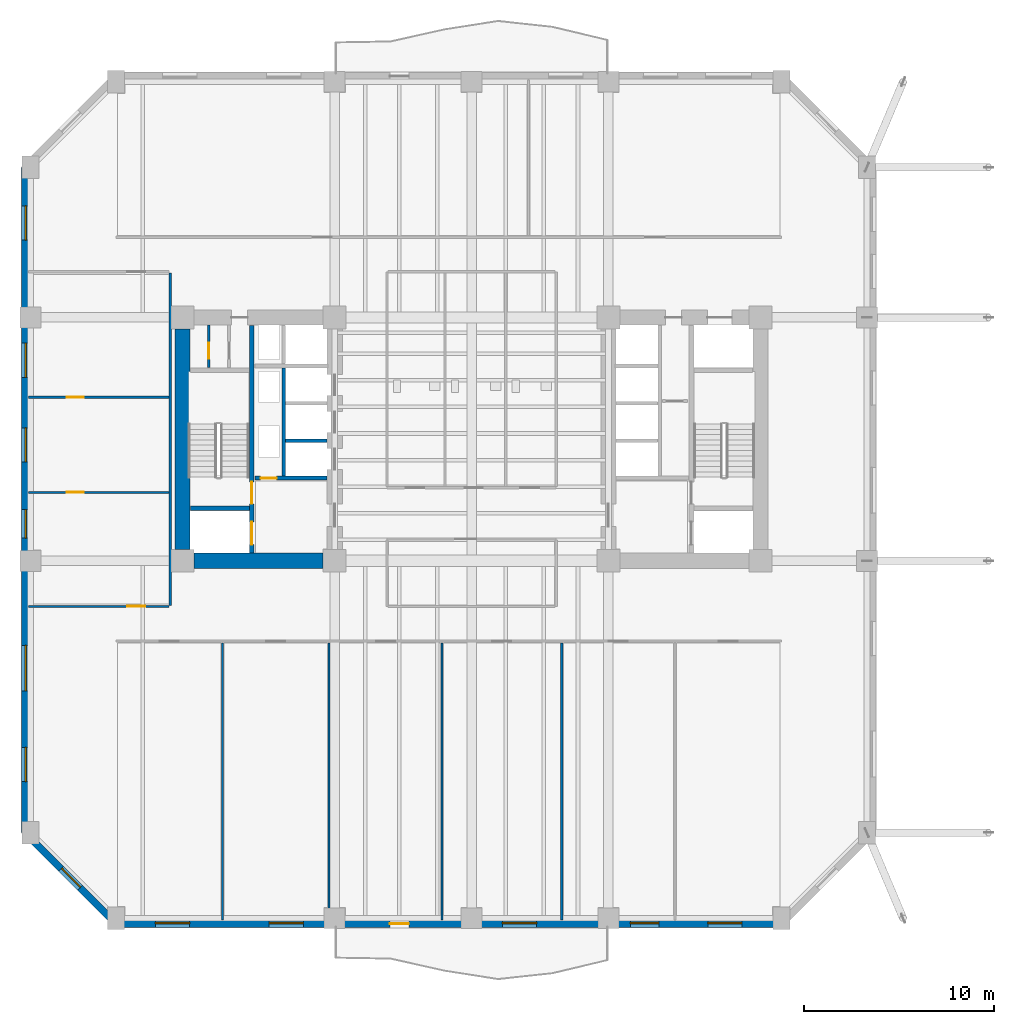
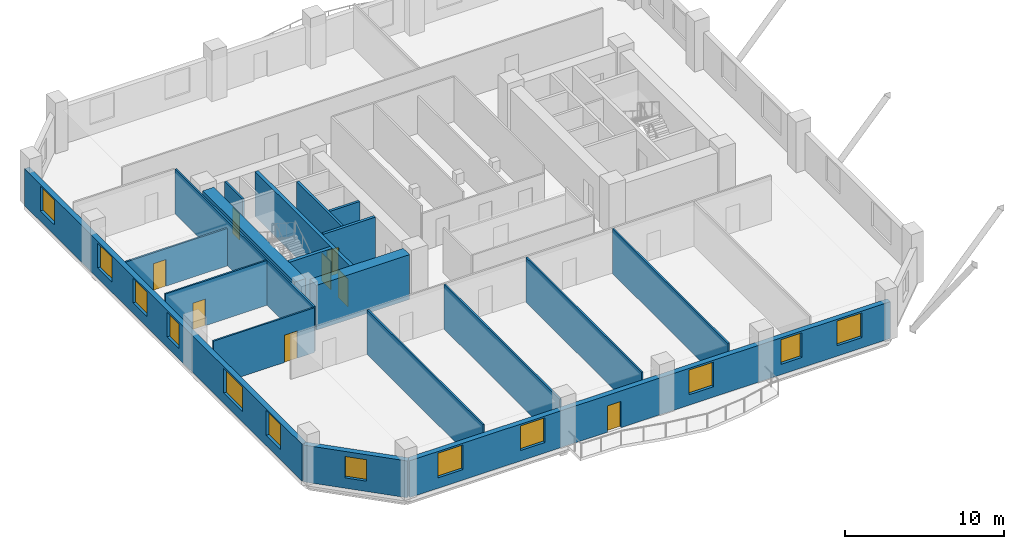
# One storey, part 5 of 13: 19 walls, 12 windows, 8 doors, 20 openings.
"""IFC4 building model written with IfcOpenShell, lengths in metres."""

from ifc_helpers import new_model, si_unit, direction, frame, frame_2d, origin, place, context, subcontext, project, spatial, rectangle, extrude, material, layer, layer_set, type_object, element, fill, save


model = new_model("IFC4")

# Units and contexts
model_context = context("Model", 3, precision=1e-05, world=origin(), true_north=direction((0.0, 1.0)))
body_context = subcontext(model_context, "Body", "Model", "MODEL_VIEW")
ifc_project = project(units=[si_unit("LENGTHUNIT", "METRE"), si_unit("AREAUNIT", "SQUARE_METRE"), si_unit("VOLUMEUNIT", "CUBIC_METRE"), si_unit("PLANEANGLEUNIT", "RADIAN"), si_unit("MASSUNIT", "GRAM", prefix="KILO")], contexts=[model_context])

# Site, building, storey
site_placement = place(None, origin())
site = spatial("IfcSite", under=ifc_project, at=site_placement, CompositionType="ELEMENT")
building_placement = place(site_placement, origin())
building = spatial("IfcBuilding", under=site, at=building_placement, Name="Kranthara Brick Stack", CompositionType="ELEMENT")
storey_placement = place(building_placement, frame((0.0, 0.0, 43.800048828125)))
storey = spatial("IfcBuildingStorey", under=building, at=storey_placement, Name="L10", CompositionType="ELEMENT", Elevation=43.800048828125)

# Wall, openings, door, windows
ifc_material_1 = material(Name="Kiln-fired clay brick masonry M15", Category="masonry")
ifc_layer_1 = layer(ifc_material_1, 0.3798828125)
ifc_layer_set_1 = layer_set([ifc_layer_1], Name="Kiln-fired clay brick masonry M15")
wall_type_1 = type_object("IfcWallType", Name="WL-BRK-PIER-380", PredefinedType="STANDARD", material=ifc_layer_set_1)
wall_1_placement = place(storey_placement, frame((44.300048828125, 1.7099609375, 0.0), z_axis=(0.0, 0.0, 1.0), x_axis=(-1.0, 0.0, 0.0)))
wall_1 = element("IfcWall", 1, at=wall_1_placement, inside=storey, type_object=wall_type_1, Name="L10 Exterior Brick Facade Wall SOUTH 1", PredefinedType="STANDARD", context=body_context, shape_type="SweptSolid", body=[
    extrude(rectangle(XDim=35.0, YDim=0.3798828125, at=frame_2d((17.5, 0.0))), origin(), (0.0, 0.0, 1.0), 2.8349609375),
])
opening_1_placement = place(wall_1_placement, frame((19.60009765625, 0.0, 0.0)))
opening_1 = element("IfcOpeningElement", 2, at=opening_1_placement, cuts=wall_1, Name="Opening D03", PredefinedType="OPENING", context=body_context, shape_type="SweptSolid", body=[
    extrude(rectangle(XDim=1.0, YDim=2.02001953125, at=frame_2d((0.5, 1.010009765625))), frame((0.0, 0.199951171875, 0.0), z_axis=(0.0, -1.0, 0.0), x_axis=(1.0, 0.0, 0.0)), (0.0, 0.0, 1.0), 0.39990234375),
])
opening_2_placement = place(wall_1_placement, frame((2.074951171875, 0.0, 0.800048828125)))
opening_2 = element("IfcOpeningElement", 3, at=opening_2_placement, cuts=wall_1, Name="Opening WN01", PredefinedType="OPENING", context=body_context, shape_type="SweptSolid", body=[
    extrude(rectangle(XDim=1.800048828125, YDim=1.89990234375, at=frame_2d((0.89990234375, 0.949951171875))), frame((0.0, 0.199951171875, 0.0), z_axis=(0.0, -1.0, 0.0), x_axis=(1.0, 0.0, 0.0)), (0.0, 0.0, 1.0), 0.39990234375),
])
opening_3_placement = place(wall_1_placement, frame((6.449951171875, 0.0, 0.800048828125)))
opening_3 = element("IfcOpeningElement", 4, at=opening_3_placement, cuts=wall_1, Name="Opening WN03", PredefinedType="OPENING", context=body_context, shape_type="SweptSolid", body=[
    extrude(rectangle(XDim=1.5, YDim=1.89990234375, at=frame_2d((0.75, 0.949951171875))), frame((0.0, 0.199951171875, 0.0), z_axis=(0.0, -1.0, 0.0), x_axis=(1.0, 0.0, 0.0)), (0.0, 0.0, 1.0), 0.39990234375),
])
opening_4_placement = place(wall_1_placement, frame((12.875, 0.0, 0.800048828125)))
opening_4 = element("IfcOpeningElement", 5, at=opening_4_placement, cuts=wall_1, Name="Opening WN01", PredefinedType="OPENING", context=body_context, shape_type="SweptSolid", body=[
    extrude(rectangle(XDim=1.800048828125, YDim=1.89990234375, at=frame_2d((0.89990234375, 0.949951171875))), frame((0.0, 0.199951171875, 0.0), z_axis=(0.0, -1.0, 0.0), x_axis=(1.0, 0.0, 0.0)), (0.0, 0.0, 1.0), 0.39990234375),
])
opening_5_placement = place(wall_1_placement, frame((25.14990234375, 0.0, 0.800048828125)))
opening_5 = element("IfcOpeningElement", 6, at=opening_5_placement, cuts=wall_1, Name="Opening WN01", PredefinedType="OPENING", context=body_context, shape_type="SweptSolid", body=[
    extrude(rectangle(XDim=1.800048828125, YDim=1.89990234375, at=frame_2d((0.89990234375, 0.949951171875))), frame((0.0, 0.199951171875, 0.0), z_axis=(0.0, -1.0, 0.0), x_axis=(1.0, 0.0, 0.0)), (0.0, 0.0, 1.0), 0.39990234375),
])
opening_6_placement = place(wall_1_placement, frame((31.125, 0.0, 0.800048828125)))
opening_6 = element("IfcOpeningElement", 7, at=opening_6_placement, cuts=wall_1, Name="Opening WN01", PredefinedType="OPENING", context=body_context, shape_type="SweptSolid", body=[
    extrude(rectangle(XDim=1.800048828125, YDim=1.89990234375, at=frame_2d((0.89990234375, 0.949951171875))), frame((0.0, 0.199951171875, 0.0), z_axis=(0.0, -1.0, 0.0), x_axis=(1.0, 0.0, 0.0)), (0.0, 0.0, 1.0), 0.39990234375),
])
ifc_material_2 = material(Name="Bronze anodised aluminium and laminated glass", Category="aluminium")
door_type_1 = type_object("IfcDoorType", Name="DR-BALC-1000", OperationType="NOTDEFINED", PredefinedType="DOOR", material=ifc_material_2)
door_1_placement = place(opening_1_placement, origin())
door_1 = element("IfcDoor", 8, at=door_1_placement, inside=storey, type_object=door_type_1, Name="L10 South Balcony Terrace Door", OperationType="SINGLE_SWING_LEFT", OverallHeight=2.02001953125, OverallWidth=1.0, PredefinedType="DOOR", context=body_context, shape_type="SweptSolid", body=[
    extrude(rectangle(XDim=1.0, YDim=2.02001953125, at=frame_2d((0.5, 1.010009765625))), frame((0.0, 0.02490234375, 0.0), z_axis=(0.0, -1.0, 0.0), x_axis=(1.0, 0.0, 0.0)), (0.0, 0.0, 1.0), 0.050048828125),
])
fill(opening_1, door_1)
ifc_material_3 = material(Name="Double-glazed low-E solar control glass", Category="glass")
window_type_1 = type_object("IfcWindowType", Name="WN-OFF-1500x2000", PartitioningType="SINGLE_PANEL", PredefinedType="WINDOW", material=ifc_material_3)
window_1_placement = place(opening_3_placement, origin())
window_1 = element("IfcWindow", 9, at=window_1_placement, inside=storey, type_object=window_type_1, Name="L10 South Deep-Set Brick Window 02", OverallHeight=1.89990234375, OverallWidth=1.5, PartitioningType="SINGLE_PANEL", PredefinedType="WINDOW", context=body_context, shape_type="SweptSolid", body=[
    extrude(rectangle(XDim=1.5, YDim=1.89990234375, at=frame_2d((0.75, 0.949951171875))), frame((0.0, -0.010009765625, 0.0), z_axis=(0.0, -1.0, 0.0), x_axis=(1.0, 0.0, 0.0)), (0.0, 0.0, 1.0), 0.06005859375),
])
fill(opening_3, window_1)
ifc_material_4 = material(Name="Double-glazed low-E solar control glass", Category="glass")
window_type_2 = type_object("IfcWindowType", Name="WN-OFF-1800x2000", PartitioningType="SINGLE_PANEL", PredefinedType="WINDOW", material=ifc_material_4)
window_2_placement = place(opening_2_placement, origin())
window_2 = element("IfcWindow", 10, at=window_2_placement, inside=storey, type_object=window_type_2, Name="L10 South Deep-Set Brick Window 01", OverallHeight=1.89990234375, OverallWidth=1.800048828125, PartitioningType="SINGLE_PANEL", PredefinedType="WINDOW", context=body_context, shape_type="SweptSolid", body=[
    extrude(rectangle(XDim=1.800048828125, YDim=1.89990234375, at=frame_2d((0.89990234375, 0.949951171875))), frame((0.0, -0.010009765625, 0.0), z_axis=(0.0, -1.0, 0.0), x_axis=(1.0, 0.0, 0.0)), (0.0, 0.0, 1.0), 0.06005859375),
])
fill(opening_2, window_2)
window_3_placement = place(opening_4_placement, origin())
window_3 = element("IfcWindow", 11, at=window_3_placement, inside=storey, type_object=window_type_2, Name="L10 South Deep-Set Brick Window 03", OverallHeight=1.89990234375, OverallWidth=1.800048828125, PartitioningType="SINGLE_PANEL", PredefinedType="WINDOW", context=body_context, shape_type="SweptSolid", body=[
    extrude(rectangle(XDim=1.800048828125, YDim=1.89990234375, at=frame_2d((0.89990234375, 0.949951171875))), frame((0.0, -0.010009765625, 0.0), z_axis=(0.0, -1.0, 0.0), x_axis=(1.0, 0.0, 0.0)), (0.0, 0.0, 1.0), 0.06005859375),
])
fill(opening_4, window_3)
window_4_placement = place(opening_5_placement, origin())
window_4 = element("IfcWindow", 12, at=window_4_placement, inside=storey, type_object=window_type_2, Name="L10 South Deep-Set Brick Window 04", OverallHeight=1.89990234375, OverallWidth=1.800048828125, PartitioningType="SINGLE_PANEL", PredefinedType="WINDOW", context=body_context, shape_type="SweptSolid", body=[
    extrude(rectangle(XDim=1.800048828125, YDim=1.89990234375, at=frame_2d((0.89990234375, 0.949951171875))), frame((0.0, -0.010009765625, 0.0), z_axis=(0.0, -1.0, 0.0), x_axis=(1.0, 0.0, 0.0)), (0.0, 0.0, 1.0), 0.06005859375),
])
fill(opening_5, window_4)
window_5_placement = place(opening_6_placement, origin())
window_5 = element("IfcWindow", 13, at=window_5_placement, inside=storey, type_object=window_type_2, Name="L10 South Deep-Set Brick Window 05", OverallHeight=1.89990234375, OverallWidth=1.800048828125, PartitioningType="SINGLE_PANEL", PredefinedType="WINDOW", context=body_context, shape_type="SweptSolid", body=[
    extrude(rectangle(XDim=1.800048828125, YDim=1.89990234375, at=frame_2d((0.89990234375, 0.949951171875))), frame((0.0, -0.010009765625, 0.0), z_axis=(0.0, -1.0, 0.0), x_axis=(1.0, 0.0, 0.0)), (0.0, 0.0, 1.0), 0.06005859375),
])
fill(opening_6, window_5)

# Wall, opening, window
wall_2_placement = place(storey_placement, frame((9.300048828125, 1.7099609375, 0.0), z_axis=(0.0, 0.0, 1.0), x_axis=(-0.707106781187, 0.707106781187, 0.0)))
wall_2 = element("IfcWall", 14, at=wall_2_placement, inside=storey, type_object=wall_type_1, Name="L10 Exterior Brick Facade Wall SW 1", PredefinedType="STANDARD", context=body_context, shape_type="SweptSolid", body=[
    extrude(rectangle(XDim=6.774169921875, YDim=0.3798828125, at=frame_2d((3.38720703125, 0.0))), origin(), (0.0, 0.0, 1.0), 2.8349609375),
])
opening_7_placement = place(wall_2_placement, frame((2.68701171875, 0.0, 0.800048828125)))
opening_7 = element("IfcOpeningElement", 15, at=opening_7_placement, cuts=wall_2, Name="Opening WN10", PredefinedType="OPENING", context=body_context, shape_type="SweptSolid", body=[
    extrude(rectangle(XDim=1.39990234375, YDim=1.64990234375, at=frame_2d((0.699951171875, 0.824951171875))), frame((0.0, 0.199951171875, 0.0), z_axis=(0.0, -1.0, 0.0), x_axis=(1.0, 0.0, 0.0)), (0.0, 0.0, 1.0), 0.39990234375),
])
ifc_material_5 = material(Name="Double-glazed low-E solar control glass", Category="glass")
window_type_3 = type_object("IfcWindowType", Name="WN-CHM-1400x1750", PartitioningType="SINGLE_PANEL", PredefinedType="WINDOW", material=ifc_material_5)
window_6_placement = place(opening_7_placement, origin())
window_6 = element("IfcWindow", 16, at=window_6_placement, inside=storey, type_object=window_type_3, Name="L10 SW Chamfer Corner Window", OverallHeight=1.64990234375, OverallWidth=1.39990234375, PartitioningType="SINGLE_PANEL", PredefinedType="WINDOW", context=body_context, shape_type="SweptSolid", body=[
    extrude(rectangle(XDim=1.39990234375, YDim=1.64990234375, at=frame_2d((0.699951171875, 0.824951171875))), frame((0.0, -0.010009765625, 0.0), z_axis=(0.0, -1.0, 0.0), x_axis=(1.0, 0.0, 0.0)), (0.0, 0.0, 1.0), 0.06005859375),
])
fill(opening_7, window_6)

# Wall, openings, windows
wall_3_placement = place(storey_placement, frame((4.510009765625, 6.5, 0.0), z_axis=(0.0, 0.0, 1.0), x_axis=(0.0, 1.0, 0.0)))
wall_3 = element("IfcWall", 17, at=wall_3_placement, inside=storey, type_object=wall_type_1, Name="L10 Exterior Brick Facade Wall WEST 1", PredefinedType="STANDARD", context=body_context, shape_type="SweptSolid", body=[
    extrude(rectangle(XDim=35.0, YDim=0.3798828125, at=frame_2d((17.5, 0.0))), origin(), (0.0, 0.0, 1.0), 2.8349609375),
])
opening_8_placement = place(wall_3_placement, frame((2.693115234375, 0.0, 0.800048828125)))
opening_8 = element("IfcOpeningElement", 18, at=opening_8_placement, cuts=wall_3, Name="Opening WN01", PredefinedType="OPENING", context=body_context, shape_type="SweptSolid", body=[
    extrude(rectangle(XDim=1.800048828125, YDim=1.89990234375, at=frame_2d((0.89990234375, 0.949951171875))), frame((0.0, 0.199951171875, 0.0), z_axis=(0.0, -1.0, 0.0), x_axis=(1.0, 0.0, 0.0)), (0.0, 0.0, 1.0), 0.39990234375),
])
opening_9_placement = place(wall_3_placement, frame((7.45703125, 0.0, 0.800048828125)))
opening_9 = element("IfcOpeningElement", 19, at=opening_9_placement, cuts=wall_3, Name="Opening WN02", PredefinedType="OPENING", context=body_context, shape_type="SweptSolid", body=[
    extrude(rectangle(XDim=2.39990234375, YDim=1.89990234375, at=frame_2d((1.199951171875, 0.949951171875))), frame((0.0, 0.199951171875, 0.0), z_axis=(0.0, -1.0, 0.0), x_axis=(1.0, 0.0, 0.0)), (0.0, 0.0, 1.0), 0.39990234375),
])
opening_10_placement = place(wall_3_placement, frame((15.5, 0.0, 0.800048828125)))
opening_10 = element("IfcOpeningElement", 20, at=opening_10_placement, cuts=wall_3, Name="Opening WN03", PredefinedType="OPENING", context=body_context, shape_type="SweptSolid", body=[
    extrude(rectangle(XDim=1.5, YDim=1.89990234375, at=frame_2d((0.75, 0.949951171875))), frame((0.0, 0.199951171875, 0.0), z_axis=(0.0, -1.0, 0.0), x_axis=(1.0, 0.0, 0.0)), (0.0, 0.0, 1.0), 0.39990234375),
])
opening_11_placement = place(wall_3_placement, frame((19.5, 0.0, 0.800048828125)))
opening_11 = element("IfcOpeningElement", 21, at=opening_11_placement, cuts=wall_3, Name="Opening WN01", PredefinedType="OPENING", context=body_context, shape_type="SweptSolid", body=[
    extrude(rectangle(XDim=1.800048828125, YDim=1.89990234375, at=frame_2d((0.89990234375, 0.949951171875))), frame((0.0, 0.199951171875, 0.0), z_axis=(0.0, -1.0, 0.0), x_axis=(1.0, 0.0, 0.0)), (0.0, 0.0, 1.0), 0.39990234375),
])
opening_12_placement = place(wall_3_placement, frame((23.949951171875, 0.0, 0.800048828125)))
opening_12 = element("IfcOpeningElement", 22, at=opening_12_placement, cuts=wall_3, Name="Opening WN01", PredefinedType="OPENING", context=body_context, shape_type="SweptSolid", body=[
    extrude(rectangle(XDim=1.800048828125, YDim=1.89990234375, at=frame_2d((0.89990234375, 0.949951171875))), frame((0.0, 0.199951171875, 0.0), z_axis=(0.0, -1.0, 0.0), x_axis=(1.0, 0.0, 0.0)), (0.0, 0.0, 1.0), 0.39990234375),
])
opening_13_placement = place(wall_3_placement, frame((31.175048828125, 0.0, 0.800048828125)))
opening_13 = element("IfcOpeningElement", 23, at=opening_13_placement, cuts=wall_3, Name="Opening WN01", PredefinedType="OPENING", context=body_context, shape_type="SweptSolid", body=[
    extrude(rectangle(XDim=1.800048828125, YDim=1.89990234375, at=frame_2d((0.89990234375, 0.949951171875))), frame((0.0, 0.199951171875, 0.0), z_axis=(0.0, -1.0, 0.0), x_axis=(1.0, 0.0, 0.0)), (0.0, 0.0, 1.0), 0.39990234375),
])
window_7_placement = place(opening_10_placement, origin())
window_7 = element("IfcWindow", 24, at=window_7_placement, inside=storey, type_object=window_type_1, Name="L10 West Deep-Set Brick Window 03", OverallHeight=1.89990234375, OverallWidth=1.5, PartitioningType="SINGLE_PANEL", PredefinedType="WINDOW", context=body_context, shape_type="SweptSolid", body=[
    extrude(rectangle(XDim=1.5, YDim=1.89990234375, at=frame_2d((0.75, 0.949951171875))), frame((0.0, -0.010009765625, 0.0), z_axis=(0.0, -1.0, 0.0), x_axis=(1.0, 0.0, 0.0)), (0.0, 0.0, 1.0), 0.06005859375),
])
fill(opening_10, window_7)
window_8_placement = place(opening_8_placement, origin())
window_8 = element("IfcWindow", 25, at=window_8_placement, inside=storey, type_object=window_type_2, Name="L10 West Deep-Set Brick Window 01", OverallHeight=1.89990234375, OverallWidth=1.800048828125, PartitioningType="SINGLE_PANEL", PredefinedType="WINDOW", context=body_context, shape_type="SweptSolid", body=[
    extrude(rectangle(XDim=1.800048828125, YDim=1.89990234375, at=frame_2d((0.89990234375, 0.949951171875))), frame((0.0, -0.010009765625, 0.0), z_axis=(0.0, -1.0, 0.0), x_axis=(1.0, 0.0, 0.0)), (0.0, 0.0, 1.0), 0.06005859375),
])
fill(opening_8, window_8)
window_9_placement = place(opening_11_placement, origin())
window_9 = element("IfcWindow", 26, at=window_9_placement, inside=storey, type_object=window_type_2, Name="L10 West Deep-Set Brick Window 04", OverallHeight=1.89990234375, OverallWidth=1.800048828125, PartitioningType="SINGLE_PANEL", PredefinedType="WINDOW", context=body_context, shape_type="SweptSolid", body=[
    extrude(rectangle(XDim=1.800048828125, YDim=1.89990234375, at=frame_2d((0.89990234375, 0.949951171875))), frame((0.0, -0.010009765625, 0.0), z_axis=(0.0, -1.0, 0.0), x_axis=(1.0, 0.0, 0.0)), (0.0, 0.0, 1.0), 0.06005859375),
])
fill(opening_11, window_9)
window_10_placement = place(opening_12_placement, origin())
window_10 = element("IfcWindow", 27, at=window_10_placement, inside=storey, type_object=window_type_2, Name="L10 West Deep-Set Brick Window 05", OverallHeight=1.89990234375, OverallWidth=1.800048828125, PartitioningType="SINGLE_PANEL", PredefinedType="WINDOW", context=body_context, shape_type="SweptSolid", body=[
    extrude(rectangle(XDim=1.800048828125, YDim=1.89990234375, at=frame_2d((0.89990234375, 0.949951171875))), frame((0.0, -0.010009765625, 0.0), z_axis=(0.0, -1.0, 0.0), x_axis=(1.0, 0.0, 0.0)), (0.0, 0.0, 1.0), 0.06005859375),
])
fill(opening_12, window_10)
window_11_placement = place(opening_13_placement, origin())
window_11 = element("IfcWindow", 28, at=window_11_placement, inside=storey, type_object=window_type_2, Name="L10 West Deep-Set Brick Window 06", OverallHeight=1.89990234375, OverallWidth=1.800048828125, PartitioningType="SINGLE_PANEL", PredefinedType="WINDOW", context=body_context, shape_type="SweptSolid", body=[
    extrude(rectangle(XDim=1.800048828125, YDim=1.89990234375, at=frame_2d((0.89990234375, 0.949951171875))), frame((0.0, -0.010009765625, 0.0), z_axis=(0.0, -1.0, 0.0), x_axis=(1.0, 0.0, 0.0)), (0.0, 0.0, 1.0), 0.06005859375),
])
fill(opening_13, window_11)
ifc_material_6 = material(Name="Double-glazed low-E solar control glass", Category="glass")
window_type_4 = type_object("IfcWindowType", Name="WN-OFF-2400x2000", PartitioningType="DOUBLE_PANEL_VERTICAL", PredefinedType="WINDOW", material=ifc_material_6)
window_12_placement = place(opening_9_placement, origin())
window_12 = element("IfcWindow", 29, at=window_12_placement, inside=storey, type_object=window_type_4, Name="L10 West Deep-Set Brick Window 02", OverallHeight=1.89990234375, OverallWidth=2.39990234375, PartitioningType="SINGLE_PANEL", PredefinedType="WINDOW", context=body_context, shape_type="SweptSolid", body=[
    extrude(rectangle(XDim=2.39990234375, YDim=1.89990234375, at=frame_2d((1.199951171875, 0.949951171875))), frame((0.0, -0.010009765625, 0.0), z_axis=(0.0, -1.0, 0.0), x_axis=(1.0, 0.0, 0.0)), (0.0, 0.0, 1.0), 0.06005859375),
])
fill(opening_9, window_12)

# Wall, openings, doors
ifc_material_7 = material(Name="Concrete C50/60", Category="concrete")
ifc_layer_2 = layer(ifc_material_7, 0.25)
ifc_layer_set_2 = layer_set([ifc_layer_2], Name="Concrete C50/60")
wall_type_2 = type_object("IfcWallType", Name="WL-CORE-250", PredefinedType="SHEAR", material=ifc_layer_set_2)
wall_4_placement = place(storey_placement, frame((16.43505859375, 21.2099609375, 0.0), z_axis=(0.0, 0.0, 1.0), x_axis=(0.0, 1.0, 0.0)))
wall_4 = element("IfcWall", 30, at=wall_4_placement, inside=storey, type_object=wall_type_2, Name="L10 West Core Stair Bearing Spine Wall", PredefinedType="SHEAR", context=body_context, shape_type="SweptSolid", body=[
    extrude(rectangle(XDim=11.97998046875, YDim=0.25, at=frame_2d((5.989990234375, 0.0))), origin(), (0.0, 0.0, 1.0), 3.449951171875),
])
opening_14_placement = place(wall_4_placement, frame((0.43994140625, 0.0, 0.0)))
opening_14 = element("IfcOpeningElement", 31, at=opening_14_placement, cuts=wall_4, Name="Opening LD01", PredefinedType="OPENING", context=body_context, shape_type="SweptSolid", body=[
    extrude(rectangle(XDim=1.199951171875, YDim=2.14990234375, at=frame_2d((0.60009765625, 1.074951171875))), frame((0.0, 0.135009765625, 0.0), z_axis=(0.0, -1.0, 0.0), x_axis=(1.0, 0.0, 0.0)), (0.0, 0.0, 1.0), 0.27001953125),
])
opening_15_placement = place(wall_4_placement, frame((2.590087890625, 0.0, 0.0)))
opening_15 = element("IfcOpeningElement", 32, at=opening_15_placement, cuts=wall_4, Name="Opening D05", PredefinedType="OPENING", context=body_context, shape_type="SweptSolid", body=[
    extrude(rectangle(XDim=1.14990234375, YDim=2.14990234375, at=frame_2d((0.574951171875, 1.074951171875))), frame((0.0, 0.135009765625, 0.0), z_axis=(0.0, -1.0, 0.0), x_axis=(1.0, 0.0, 0.0)), (0.0, 0.0, 1.0), 0.27001953125),
])
ifc_material_8 = material(Name="Stainless steel sliding landing door", Category="steel")
door_type_2 = type_object("IfcDoorType", Name="DR-LD-FF1200", OperationType="DOUBLE_DOOR_SLIDING", PredefinedType="DOOR", material=ifc_material_8)
door_2_placement = place(opening_14_placement, origin())
door_2 = element("IfcDoor", 33, at=door_2_placement, inside=storey, type_object=door_type_2, Name="L10 Firefighting Lift FF-01 Landing Door", OperationType="DOUBLE_DOOR_SLIDING", OverallHeight=2.14990234375, OverallWidth=1.199951171875, PredefinedType="DOOR", context=body_context, shape_type="SweptSolid", body=[
    extrude(rectangle(XDim=1.199951171875, YDim=2.14990234375, at=frame_2d((0.60009765625, 1.074951171875))), frame((0.0, 0.02490234375, 0.0), z_axis=(0.0, -1.0, 0.0), x_axis=(1.0, 0.0, 0.0)), (0.0, 0.0, 1.0), 0.050048828125),
])
fill(opening_14, door_2)
ifc_material_9 = material(Name="Solid-core hardwood timber leaf in steel frame", Category="steel")
door_type_3 = type_object("IfcDoorType", Name="DR-ST-1150", OperationType="NOTDEFINED", PredefinedType="DOOR", material=ifc_material_9)
door_3_placement = place(opening_15_placement, origin())
door_3 = element("IfcDoor", 34, at=door_3_placement, inside=storey, type_object=door_type_3, Name="L10 Exit Stair ST01 Door", OperationType="SINGLE_SWING_RIGHT", OverallHeight=2.14990234375, OverallWidth=1.14990234375, PredefinedType="DOOR", context=body_context, shape_type="SweptSolid", body=[
    extrude(rectangle(XDim=1.14990234375, YDim=2.14990234375, at=frame_2d((0.574951171875, 1.074951171875))), frame((0.0, 0.02490234375, 0.0), z_axis=(0.0, -1.0, 0.0), x_axis=(1.0, 0.0, 0.0)), (0.0, 0.0, 1.0), 0.050048828125),
])
fill(opening_15, door_3)

# Walls
wall_5_placement = place(storey_placement, frame((13.2099609375, 23.570068359375, 0.0), z_axis=(0.0, 0.0, 1.0), x_axis=(1.0, 0.0, 0.0)))
element("IfcWall", 35, at=wall_5_placement, inside=storey, type_object=wall_type_2, Name="L10 West Stairwell Bearing Wall WFF", PredefinedType="SHEAR", context=body_context, shape_type="SweptSolid", body=[
    extrude(rectangle(XDim=3.10009765625, YDim=0.25, at=frame_2d((1.550048828125, 0.0))), origin(), (0.0, 0.0, 1.0), 3.449951171875),
])
ifc_material_10 = material(Name="Concrete C70/85", Category="concrete")
ifc_layer_3 = layer(ifc_material_10, 0.800048828125)
ifc_layer_set_3 = layer_set([ifc_layer_3], Name="Concrete C70/85")
wall_type_3 = type_object("IfcWallType", Name="WL-CORE-800", PredefinedType="SHEAR", material=ifc_layer_set_3)
wall_6_placement = place(storey_placement, frame((12.800048828125, 21.405029296875, 0.0), z_axis=(0.0, 0.0, 1.0), x_axis=(0.0, 1.0, 0.0)))
element("IfcWall", 36, at=wall_6_placement, inside=storey, type_object=wall_type_3, Name="L10 West Core Shear Wall West", PredefinedType="SHEAR", context=body_context, shape_type="SweptSolid", body=[
    extrude(rectangle(XDim=11.590087890625, YDim=0.800048828125, at=frame_2d((5.794921875, 0.0))), origin(), (0.0, 0.0, 1.0), 3.449951171875),
])
wall_7_placement = place(storey_placement, frame((13.405029296875, 20.800048828125, 0.0), z_axis=(0.0, 0.0, 1.0), x_axis=(1.0, 0.0, 0.0)))
element("IfcWall", 37, at=wall_7_placement, inside=storey, type_object=wall_type_3, Name="L10 West Core Shear Wall South", PredefinedType="SHEAR", context=body_context, shape_type="SweptSolid", body=[
    extrude(rectangle(XDim=6.7900390625, YDim=0.800048828125, at=frame_2d((3.39501953125, 0.0))), origin(), (0.0, 0.0, 1.0), 3.449951171875),
])
ifc_material_11 = material(Name="Acoustic gypsum plasterboard partition", Category="other")
ifc_layer_4 = layer(ifc_material_11, 0.1201171875)
ifc_layer_set_4 = layer_set([ifc_layer_4], Name="Acoustic gypsum plasterboard partition")
wall_type_4 = type_object("IfcWallType", Name="WL-PART-120", PredefinedType="PARTITIONING", material=ifc_layer_set_4)
for number, where, z_axis, x_axis, name in (
    (38, (14.89990234375, 1.905029296875, 0.0), (0.0, 0.0, 1.0), (0.0, 1.0, 0.0), "L10 Interior Partition 015"),
    (39, (20.5, 1.905029296875, 0.0), (0.0, 0.0, 1.0), (0.0, 1.0, 0.0), "L10 Interior Partition 016"),
    (40, (26.449951171875, 1.905029296875, 0.0), (0.0, 0.0, 1.0), (0.0, 1.0, 0.0), "L10 Interior Partition 017"),
    (41, (32.75, 1.905029296875, 0.0), (0.0, 0.0, 1.0), (0.0, 1.0, 0.0), "L10 Interior Partition 018"),
):
    element("IfcWall", number, at=place(storey_placement, frame(where, z_axis=z_axis, x_axis=x_axis)), inside=storey, type_object=wall_type_4, Name=name, PredefinedType="PARTITIONING", context=body_context, shape_type="SweptSolid", body=[
        extrude(rectangle(XDim=14.574951171875, YDim=0.1201171875, at=frame_2d((7.28759765625, 0.0))), origin(), (0.0, 0.0, 1.0), 3.449951171875),
    ])
wall_8_placement = place(storey_placement, frame((12.14990234375, 18.449951171875, 0.0), z_axis=(0.0, 0.0, 1.0), x_axis=(0.0, 1.0, 0.0)))
element("IfcWall", 42, at=wall_8_placement, inside=storey, type_object=wall_type_4, Name="L10 Interior Partition 022", PredefinedType="PARTITIONING", context=body_context, shape_type="SweptSolid", body=[
    extrude(rectangle(XDim=17.5, YDim=0.1201171875, at=frame_2d((8.75, 0.0))), origin(), (0.0, 0.0, 1.0), 3.449951171875),
])

# Wall, opening, door
wall_9_placement = place(storey_placement, frame((4.705078125, 18.39990234375, 0.0), z_axis=(0.0, 0.0, 1.0), x_axis=(1.0, 0.0, 0.0)))
wall_9 = element("IfcWall", 43, at=wall_9_placement, inside=storey, type_object=wall_type_4, Name="L10 Interior Partition 023", PredefinedType="PARTITIONING", context=body_context, shape_type="SweptSolid", body=[
    extrude(rectangle(XDim=7.3798828125, YDim=0.1201171875, at=frame_2d((3.68994140625, 0.0))), origin(), (0.0, 0.0, 1.0), 3.449951171875),
])
opening_16_placement = place(wall_9_placement, frame((5.179931640625, 0.0, 0.0)))
opening_16 = element("IfcOpeningElement", 44, at=opening_16_placement, cuts=wall_9, Name="Opening D14", PredefinedType="OPENING", context=body_context, shape_type="SweptSolid", body=[
    extrude(rectangle(XDim=0.949951171875, YDim=2.10009765625, at=frame_2d((0.47509765625, 1.050048828125))), frame((0.0, 0.070068359375, 0.0), z_axis=(0.0, -1.0, 0.0), x_axis=(1.0, 0.0, 0.0)), (0.0, 0.0, 1.0), 0.14013671875),
])
ifc_material_12 = material(Name="Solid-core hardwood timber leaf in steel frame", Category="steel")
door_type_4 = type_object("IfcDoorType", Name="DR-INT-950", OperationType="NOTDEFINED", PredefinedType="DOOR", material=ifc_material_12)
door_4_placement = place(opening_16_placement, origin())
door_4 = element("IfcDoor", 45, at=door_4_placement, inside=storey, type_object=door_type_4, Name="L10 West South Office 18", OperationType="SINGLE_SWING_RIGHT", OverallHeight=2.10009765625, OverallWidth=0.949951171875, PredefinedType="DOOR", context=body_context, shape_type="SweptSolid", body=[
    extrude(rectangle(XDim=0.949951171875, YDim=2.10009765625, at=frame_2d((0.47509765625, 1.050048828125))), frame((0.0, 0.02490234375, 0.0), z_axis=(0.0, -1.0, 0.0), x_axis=(1.0, 0.0, 0.0)), (0.0, 0.0, 1.0), 0.050048828125),
])
fill(opening_16, door_4)

wall_10_placement = place(storey_placement, frame((4.705078125, 24.39990234375, 0.0), z_axis=(0.0, 0.0, 1.0), x_axis=(1.0, 0.0, 0.0)))
wall_10 = element("IfcWall", 46, at=wall_10_placement, inside=storey, type_object=wall_type_4, Name="L10 Interior Partition 025", PredefinedType="PARTITIONING", context=body_context, shape_type="SweptSolid", body=[
    extrude(rectangle(XDim=7.3798828125, YDim=0.1201171875, at=frame_2d((3.68994140625, 0.0))), origin(), (0.0, 0.0, 1.0), 3.449951171875),
])
opening_17_placement = place(wall_10_placement, frame((2.0, 0.0, 0.0)))
opening_17 = element("IfcOpeningElement", 47, at=opening_17_placement, cuts=wall_10, Name="Opening D15", PredefinedType="OPENING", context=body_context, shape_type="SweptSolid", body=[
    extrude(rectangle(XDim=0.89990234375, YDim=2.050048828125, at=frame_2d((0.449951171875, 1.02490234375))), frame((0.0, 0.070068359375, 0.0), z_axis=(0.0, -1.0, 0.0), x_axis=(1.0, 0.0, 0.0)), (0.0, 0.0, 1.0), 0.14013671875),
])
ifc_material_13 = material(Name="Solid-core hardwood timber leaf in steel frame", Category="steel")
door_type_5 = type_object("IfcDoorType", Name="DR-INT-900", OperationType="NOTDEFINED", PredefinedType="DOOR", material=ifc_material_13)
door_5_placement = place(opening_17_placement, origin())
door_5 = element("IfcDoor", 48, at=door_5_placement, inside=storey, type_object=door_type_5, Name="L10 West Inner Suite Door 16", OperationType="SINGLE_SWING_RIGHT", OverallHeight=2.050048828125, OverallWidth=0.89990234375, PredefinedType="DOOR", context=body_context, shape_type="SweptSolid", body=[
    extrude(rectangle(XDim=0.89990234375, YDim=2.050048828125, at=frame_2d((0.449951171875, 1.02490234375))), frame((0.0, 0.02490234375, 0.0), z_axis=(0.0, -1.0, 0.0), x_axis=(1.0, 0.0, 0.0)), (0.0, 0.0, 1.0), 0.050048828125),
])
fill(opening_17, door_5)

wall_11_placement = place(storey_placement, frame((4.705078125, 29.39990234375, 0.0), z_axis=(0.0, 0.0, 1.0), x_axis=(1.0, 0.0, 0.0)))
wall_11 = element("IfcWall", 49, at=wall_11_placement, inside=storey, type_object=wall_type_4, Name="L10 Interior Partition 026", PredefinedType="PARTITIONING", context=body_context, shape_type="SweptSolid", body=[
    extrude(rectangle(XDim=7.3798828125, YDim=0.1201171875, at=frame_2d((3.68994140625, 0.0))), origin(), (0.0, 0.0, 1.0), 2.885009765625),
])
opening_18_placement = place(wall_11_placement, frame((2.0, 0.0, 0.0)))
opening_18 = element("IfcOpeningElement", 50, at=opening_18_placement, cuts=wall_11, Name="Opening D15", PredefinedType="OPENING", context=body_context, shape_type="SweptSolid", body=[
    extrude(rectangle(XDim=0.89990234375, YDim=2.050048828125, at=frame_2d((0.449951171875, 1.02490234375))), frame((0.0, 0.070068359375, 0.0), z_axis=(0.0, -1.0, 0.0), x_axis=(1.0, 0.0, 0.0)), (0.0, 0.0, 1.0), 0.14013671875),
])
door_6_placement = place(opening_18_placement, origin())
door_6 = element("IfcDoor", 51, at=door_6_placement, inside=storey, type_object=door_type_5, Name="L10 West Inner Suite Door 17", OperationType="SINGLE_SWING_LEFT", OverallHeight=2.050048828125, OverallWidth=0.89990234375, PredefinedType="DOOR", context=body_context, shape_type="SweptSolid", body=[
    extrude(rectangle(XDim=0.89990234375, YDim=2.050048828125, at=frame_2d((0.449951171875, 1.02490234375))), frame((0.0, 0.02490234375, 0.0), z_axis=(0.0, -1.0, 0.0), x_axis=(1.0, 0.0, 0.0)), (0.0, 0.0, 1.0), 0.050048828125),
])
fill(opening_18, door_6)

ifc_material_14 = material(Name="Fire-rated gypsum board partition", Category="other")
ifc_layer_5 = layer(ifc_material_14, 0.14990234375)
ifc_layer_set_5 = layer_set([ifc_layer_5], Name="Fire-rated gypsum board partition")
wall_type_5 = type_object("IfcWallType", Name="WL-PART-150", PredefinedType="PARTITIONING", material=ifc_layer_set_5)
wall_12_placement = place(storey_placement, frame((14.179931640625, 30.9599609375, 0.0), z_axis=(0.0, 0.0, 1.0), x_axis=(0.0, 1.0, 0.0)))
wall_12 = element("IfcWall", 52, at=wall_12_placement, inside=storey, type_object=wall_type_5, Name="L10 Interior Partition 001", PredefinedType="PARTITIONING", context=body_context, shape_type="SweptSolid", body=[
    extrude(rectangle(XDim=2.235107421875, YDim=0.14990234375, at=frame_2d((1.11767578125, 0.0))), origin(), (0.0, 0.0, 1.0), 3.449951171875),
])
opening_19_placement = place(wall_12_placement, frame((0.469970703125, 0.0, 0.0)))
opening_19 = element("IfcOpeningElement", 53, at=opening_19_placement, cuts=wall_12, Name="Opening D10", PredefinedType="OPENING", context=body_context, shape_type="SweptSolid", body=[
    extrude(rectangle(XDim=0.85009765625, YDim=2.02001953125, at=frame_2d((0.425048828125, 1.010009765625))), frame((0.0, 0.0849609375, 0.0), z_axis=(0.0, -1.0, 0.0), x_axis=(1.0, 0.0, 0.0)), (0.0, 0.0, 1.0), 0.169921875),
])
ifc_material_15 = material(Name="Solid-core hardwood timber leaf in steel frame", Category="steel")
door_type_6 = type_object("IfcDoorType", Name="DR-RSR-850", OperationType="NOTDEFINED", PredefinedType="DOOR", material=ifc_material_15)
door_7_placement = place(opening_19_placement, origin())
door_7 = element("IfcDoor", 54, at=door_7_placement, inside=storey, type_object=door_type_6, Name="L10 Riser Door A 01", OperationType="SINGLE_SWING_LEFT", OverallHeight=2.02001953125, OverallWidth=0.85009765625, PredefinedType="DOOR", context=body_context, shape_type="SweptSolid", body=[
    extrude(rectangle(XDim=0.85009765625, YDim=2.02001953125, at=frame_2d((0.425048828125, 1.010009765625))), frame((0.0, 0.02490234375, 0.0), z_axis=(0.0, -1.0, 0.0), x_axis=(1.0, 0.0, 0.0)), (0.0, 0.0, 1.0), 0.050048828125),
])
fill(opening_19, door_7)

# Walls
ifc_material_16 = material(Name="Gypsum plasterboard on acoustic twin stud", Category="other")
ifc_layer_6 = layer(ifc_material_16, 0.179931640625)
ifc_layer_set_6 = layer_set([ifc_layer_6], Name="Gypsum plasterboard on acoustic twin stud")
wall_type_6 = type_object("IfcWallType", Name="WL-PART-180", PredefinedType="PARTITIONING", material=ifc_layer_set_6)
wall_13_placement = place(storey_placement, frame((18.1201171875, 25.27001953125, 0.0), z_axis=(0.0, 0.0, 1.0), x_axis=(0.0, 1.0, 0.0)))
element("IfcWall", 55, at=wall_13_placement, inside=storey, type_object=wall_type_6, Name="L10 West Hoistway Wall WBK", PredefinedType="PARTITIONING", context=body_context, shape_type="SweptSolid", body=[
    extrude(rectangle(XDim=5.659912109375, YDim=0.179931640625, at=frame_2d((2.830078125, 0.0))), origin(), (0.0, 0.0, 1.0), 3.449951171875),
])
wall_14_placement = place(storey_placement, frame((18.219970703125, 27.1201171875, 0.0), z_axis=(0.0, 0.0, 1.0), x_axis=(1.0, 0.0, 0.0)))
element("IfcWall", 56, at=wall_14_placement, inside=storey, type_object=wall_type_6, Name="L10 West Hoistway Wall WH1", PredefinedType="PARTITIONING", context=body_context, shape_type="SweptSolid", body=[
    extrude(rectangle(XDim=2.169921875, YDim=0.179931640625, at=frame_2d((1.0849609375, 0.0))), origin(), (0.0, 0.0, 1.0), 3.449951171875),
])

# Wall, opening, door
ifc_material_17 = material(Name="Concrete C40/50", Category="concrete")
ifc_layer_7 = layer(ifc_material_17, 0.199951171875)
ifc_layer_set_7 = layer_set([ifc_layer_7], Name="Concrete C40/50")
wall_type_7 = type_object("IfcWallType", Name="WL-PART-200", PredefinedType="SOLIDWALL", material=ifc_layer_set_7)
wall_15_placement = place(storey_placement, frame((16.60009765625, 25.14990234375, 0.0), z_axis=(0.0, 0.0, 1.0), x_axis=(1.0, 0.0, 0.0)))
wall_15 = element("IfcWall", 57, at=wall_15_placement, inside=storey, type_object=wall_type_7, Name="L10 West Core Cross Wall WFL", PredefinedType="SOLIDWALL", context=body_context, shape_type="SweptSolid", body=[
    extrude(rectangle(XDim=3.789794921875, YDim=0.199951171875, at=frame_2d((1.89501953125, 0.0))), origin(), (0.0, 0.0, 1.0), 3.449951171875),
])
opening_20_placement = place(wall_15_placement, frame((0.300048828125, 0.0, 0.0)))
opening_20 = element("IfcOpeningElement", 58, at=opening_20_placement, cuts=wall_15, Name="Opening D10", PredefinedType="OPENING", context=body_context, shape_type="SweptSolid", body=[
    extrude(rectangle(XDim=0.85009765625, YDim=2.02001953125, at=frame_2d((0.425048828125, 1.010009765625))), frame((0.0, 0.10986328125, 0.0), z_axis=(0.0, -1.0, 0.0), x_axis=(1.0, 0.0, 0.0)), (0.0, 0.0, 1.0), 0.219970703125),
])
door_8_placement = place(opening_20_placement, origin())
door_8 = element("IfcDoor", 59, at=door_8_placement, inside=storey, type_object=door_type_6, Name="L10 Mechanical Riser Access Door", OperationType="SINGLE_SWING_LEFT", OverallHeight=2.02001953125, OverallWidth=0.85009765625, PredefinedType="DOOR", context=body_context, shape_type="SweptSolid", body=[
    extrude(rectangle(XDim=0.85009765625, YDim=2.02001953125, at=frame_2d((0.425048828125, 1.010009765625))), frame((0.0, 0.02490234375, 0.0), z_axis=(0.0, -1.0, 0.0), x_axis=(1.0, 0.0, 0.0)), (0.0, 0.0, 1.0), 0.050048828125),
])
fill(opening_20, door_8)

save(model, "model.ifc")
